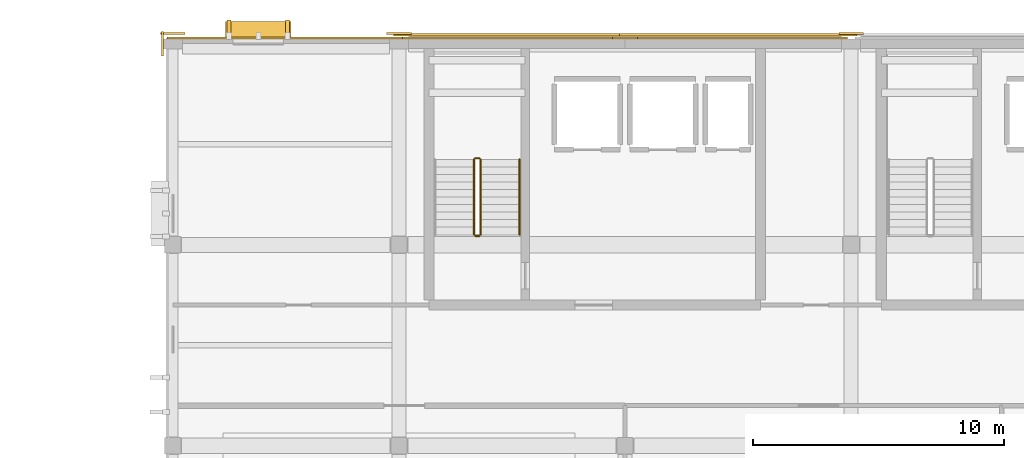
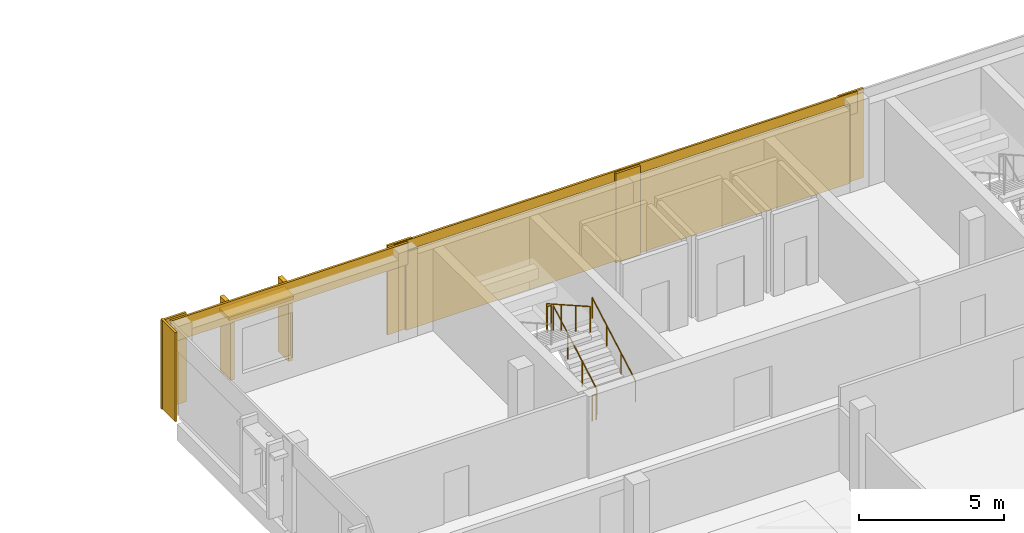
# One storey, part 20 of 23: 10 coverings, 5 railings, 3 shading devices.
"""IFC4 building model written with IfcOpenShell, lengths in metres."""

from ifc_helpers import new_model, si_unit, direction, frame, origin, origin_2d, place, context, subcontext, project, spatial, rectangle, circle, extrude, material, layer, layer_set, type_object, element, save


model = new_model("IFC4")

# Units and contexts
model_context = context("Model", 3, precision=1e-05, world=origin(), true_north=direction((0.0, 1.0)))
body_context = subcontext(model_context, "Body", "Model", "MODEL_VIEW")
ifc_project = project(units=[si_unit("LENGTHUNIT", "METRE"), si_unit("AREAUNIT", "SQUARE_METRE"), si_unit("VOLUMEUNIT", "CUBIC_METRE"), si_unit("PLANEANGLEUNIT", "RADIAN"), si_unit("MASSUNIT", "GRAM", prefix="KILO")], contexts=[model_context])

# Site, building, storey
site_placement = place(None, origin())
site = spatial("IfcSite", under=ifc_project, at=site_placement, CompositionType="ELEMENT")
building_placement = place(site_placement, origin())
building = spatial("IfcBuilding", under=site, at=building_placement, Name="Vervanel Yard Central Library", CompositionType="ELEMENT")
storey_placement = place(building_placement, frame((0.0, 0.0, 16.52001953125)))
storey = spatial("IfcBuildingStorey", under=building, at=storey_placement, Name="L04", CompositionType="ELEMENT", Elevation=16.52001953125)

# Railing
ifc_material_1 = material(Name="Brushed stainless steel AISI 316", Category="steel")
railing_type_1 = type_object("IfcRailingType", Name="Brushed Stainless Stair Handrail 900", PredefinedType="HANDRAIL", material=ifc_material_1)
railing_1_placement = place(storey_placement, frame((49.800048828125, 106.39990234375, 0.169921875)))
element("IfcRailing", 1, at=railing_1_placement, inside=storey, type_object=railing_type_1, Name="L04 ST-01 stair handrail 1", PredefinedType="HANDRAIL", context=body_context, shape_type="SweptSolid", body=[
    extrude(circle(Radius=0.02392578125, at=origin_2d()), frame((0.0, 0.0, 0.8759765625), z_axis=(0.0, 0.870028259722, 0.493001853226), x_axis=(-1.0, 0.0, 0.0)), (0.0, 0.0, 1.0), 3.4482421875),
    extrude(circle(Radius=0.02099609375, at=origin_2d()), origin(), (0.0, 0.0, 1.0), 0.851806640625),
    extrude(circle(Radius=0.02099609375, at=origin_2d()), frame((0.0, 1.0, 0.566650390625)), (0.0, 0.0, 1.0), 0.851806640625),
    extrude(circle(Radius=0.02099609375, at=origin_2d()), frame((0.0, 2.0, 1.13330078125)), (0.0, 0.0, 1.0), 0.851806640625),
    extrude(circle(Radius=0.02099609375, at=origin_2d()), frame((0.0, 3.0, 1.699951171875)), (0.0, 0.0, 1.0), 0.851806640625),
])

# Coverings
ifc_material_2 = material(Name="Precast concrete C45/55", Category="concrete")
ifc_layer = layer(ifc_material_2, 0.0849609375, Category="concrete")
ifc_layer_set = layer_set([ifc_layer], Name="Precast concrete C45/55")
covering_type = type_object("IfcCoveringType", Name="Bush-Hammered Precast Architectural Cladding Panel", PredefinedType="CLADDING", material=ifc_layer_set)
covering_1_placement = place(storey_placement, frame((40.5, 114.22998046875, 2.840087890625), z_axis=(0.0, 0.0, 1.0), x_axis=(1.0, 0.0, 0.0)))
element("IfcCovering", 2, at=covering_1_placement, inside=storey, type_object=covering_type, Name="L04 Precast Concrete Spandrel Cornice EWALL-L04-0060", PredefinedType="CLADDING", context=body_context, shape_type="SweptSolid", body=[
    extrude(rectangle(XDim=9.449951171875, YDim=0.0849609375, at=origin_2d()), origin(), (0.0, 0.0, 1.0), 0.919921875),
])
for number, where, z_axis, x_axis, name in (
    (3, (36.0, 114.41748046875, 0.0), (0.0, 0.0, 1.0), (1.0, 0.0, 0.0), "L04 Precast Concrete Pier Pilaster EWALL-L04-0060-A"),
    (4, (45.0, 114.41748046875, 0.0), (0.0, 0.0, 1.0), (1.0, 0.0, 0.0), "L04 Precast Concrete Pier Pilaster EWALL-L04-0060-B"),
):
    element("IfcCovering", number, at=place(storey_placement, frame(where, z_axis=z_axis, x_axis=x_axis)), inside=storey, type_object=covering_type, Name=name, PredefinedType="CLADDING", context=body_context, shape_type="SweptSolid", body=[
        extrude(rectangle(XDim=0.97998046875, YDim=0.0849609375, at=origin_2d()), origin(), (0.0, 0.0, 1.0), 3.760009765625),
    ])
covering_2_placement = place(storey_placement, frame((49.5, 114.364990234375, 2.840087890625), z_axis=(0.0, 0.0, 1.0), x_axis=(1.0, 0.0, 0.0)))
element("IfcCovering", 5, at=covering_2_placement, inside=storey, type_object=covering_type, Name="L04 Precast Concrete Spandrel Cornice EWALL-L04-0061", PredefinedType="CLADDING", context=body_context, shape_type="SweptSolid", body=[
    extrude(rectangle(XDim=9.449951171875, YDim=0.0849609375, at=origin_2d()), origin(), (0.0, 0.0, 1.0), 0.919921875),
])
covering_3_placement = place(storey_placement, frame((54.0, 114.232421875, 0.0), z_axis=(0.0, 0.0, 1.0), x_axis=(1.0, 0.0, 0.0)))
element("IfcCovering", 6, at=covering_3_placement, inside=storey, type_object=covering_type, Name="L04 Precast Concrete Pier Pilaster EWALL-L04-0061-B", PredefinedType="CLADDING", context=body_context, shape_type="SweptSolid", body=[
    extrude(rectangle(XDim=0.97998046875, YDim=0.0849609375, at=origin_2d()), origin(), (0.0, 0.0, 1.0), 3.760009765625),
])
covering_4_placement = place(storey_placement, frame((49.5, 114.232421875, 0.080078125), z_axis=(0.0, 0.0, 1.0), x_axis=(1.0, 0.0, 0.0)))
element("IfcCovering", 7, at=covering_4_placement, inside=storey, type_object=covering_type, Name="L04 Bush-Hammered Precast Cladding EWALL-L04-0061", PredefinedType="CLADDING", context=body_context, shape_type="SweptSolid", body=[
    extrude(rectangle(XDim=8.699951171875, YDim=0.0849609375, at=origin_2d()), origin(), (0.0, 0.0, 1.0), 3.300048828125),
])
covering_5_placement = place(storey_placement, frame((58.5, 114.364990234375, 2.840087890625), z_axis=(0.0, 0.0, 1.0), x_axis=(1.0, 0.0, 0.0)))
element("IfcCovering", 8, at=covering_5_placement, inside=storey, type_object=covering_type, Name="L04 Precast Concrete Spandrel Cornice EWALL-L04-0062", PredefinedType="CLADDING", context=body_context, shape_type="SweptSolid", body=[
    extrude(rectangle(XDim=9.449951171875, YDim=0.0849609375, at=origin_2d()), origin(), (0.0, 0.0, 1.0), 0.919921875),
])
covering_6_placement = place(storey_placement, frame((63.0, 114.41748046875, 0.0), z_axis=(0.0, 0.0, 1.0), x_axis=(1.0, 0.0, 0.0)))
element("IfcCovering", 9, at=covering_6_placement, inside=storey, type_object=covering_type, Name="L04 Precast Concrete Pier Pilaster EWALL-L04-0062-B", PredefinedType="CLADDING", context=body_context, shape_type="SweptSolid", body=[
    extrude(rectangle(XDim=0.97998046875, YDim=0.0849609375, at=origin_2d()), origin(), (0.0, 0.0, 1.0), 3.760009765625),
])
covering_7_placement = place(storey_placement, frame((58.5, 114.232421875, 0.080078125), z_axis=(0.0, 0.0, 1.0), x_axis=(1.0, 0.0, 0.0)))
element("IfcCovering", 10, at=covering_7_placement, inside=storey, type_object=covering_type, Name="L04 Bush-Hammered Precast Cladding EWALL-L04-0062", PredefinedType="CLADDING", context=body_context, shape_type="SweptSolid", body=[
    extrude(rectangle(XDim=8.699951171875, YDim=0.0849609375, at=origin_2d()), origin(), (0.0, 0.0, 1.0), 3.300048828125),
])
covering_8_placement = place(storey_placement, frame((35.58251953125, 114.0, 0.0), z_axis=(0.0, 0.0, 1.0), x_axis=(0.0, 1.0, 0.0)))
element("IfcCovering", 11, at=covering_8_placement, inside=storey, type_object=covering_type, Name="L04 Precast Concrete Pier Pilaster EWALL-L04-0070-B", PredefinedType="CLADDING", context=body_context, shape_type="SweptSolid", body=[
    extrude(rectangle(XDim=0.97998046875, YDim=0.0849609375, at=origin_2d()), origin(), (0.0, 0.0, 1.0), 3.760009765625),
])

# Shading device
shading_device_type_1 = type_object("IfcShadingDeviceType", Name="Horizontal Precast Brise-Soleil Sunhood 2600x680x140", PredefinedType="JALOUSIE", material=ifc_material_2)
shading_device_placement = place(storey_placement, frame((39.39990234375, 114.56005859375, 2.93017578125), z_axis=(0.0, 0.0, 1.0), x_axis=(1.0, 0.0, 0.0)))
element("IfcShadingDevice", 12, at=shading_device_placement, inside=storey, type_object=shading_device_type_1, Name="L04 Precast Horizontal Sunhood 25", PredefinedType="JALOUSIE", context=body_context, shape_type="SweptSolid", body=[
    extrude(rectangle(XDim=2.60009765625, YDim=0.679931640625, at=origin_2d()), origin(), (0.0, 0.0, 1.0), 0.139892578125),
])

# Railings
ifc_material_3 = material(Name="Galvanized painted steelwork ASTM A500 Grade C", Category="steel")
railing_type_2 = type_object("IfcRailingType", Name="Painted Steel Guardrail 1100", PredefinedType="GUARDRAIL", material=ifc_material_3)
railing_2_placement = place(storey_placement, frame((48.25, 106.39990234375, 0.169921875)))
element("IfcRailing", 13, at=railing_2_placement, inside=storey, type_object=railing_type_2, Name="L04 ST-01 stair guard 1", PredefinedType="GUARDRAIL", context=body_context, shape_type="SweptSolid", body=[
    extrude(circle(Radius=0.02392578125, at=origin_2d()), frame((0.0, 0.0, 1.076171875), z_axis=(0.0, 0.870028259722, 0.493001853226), x_axis=(-1.0, 0.0, 0.0)), (0.0, 0.0, 1.0), 3.4482421875),
    extrude(circle(Radius=0.02099609375, at=origin_2d()), origin(), (0.0, 0.0, 1.0), 1.052001953125),
    extrude(circle(Radius=0.02099609375, at=origin_2d()), frame((0.0, 1.0, 0.566650390625)), (0.0, 0.0, 1.0), 1.052001953125),
    extrude(circle(Radius=0.02099609375, at=origin_2d()), frame((0.0, 2.0, 1.13330078125)), (0.0, 0.0, 1.0), 1.052001953125),
    extrude(circle(Radius=0.02099609375, at=origin_2d()), frame((0.0, 3.0, 1.699951171875)), (0.0, 0.0, 1.0), 1.052001953125),
])
railing_3_placement = place(storey_placement, frame((48.199951171875, 109.449951171875, 1.869873046875)))
element("IfcRailing", 14, at=railing_3_placement, inside=storey, type_object=railing_type_2, Name="L04 ST-01 stair guard 2", PredefinedType="GUARDRAIL", context=body_context, shape_type="SweptSolid", body=[
    extrude(circle(Radius=0.02392578125, at=origin_2d()), frame((0.0, 0.0, 1.076171875), z_axis=(-1.0, 0.0, 0.0), x_axis=(0.0, -1.0, 0.0)), (0.0, 0.0, 1.0), 0.159912109375),
    extrude(circle(Radius=0.02099609375, at=origin_2d()), origin(), (0.0, 0.0, 1.0), 1.052001953125),
    extrude(circle(Radius=0.02099609375, at=origin_2d()), frame((-0.159912109375, 0.0, 0.0)), (0.0, 0.0, 1.0), 1.052001953125),
])
railing_4_placement = place(storey_placement, frame((47.989990234375, 109.39990234375, 2.0400390625)))
element("IfcRailing", 15, at=railing_4_placement, inside=storey, type_object=railing_type_2, Name="L04 ST-01 stair guard 3", PredefinedType="GUARDRAIL", context=body_context, shape_type="SweptSolid", body=[
    extrude(circle(Radius=0.02392578125, at=origin_2d()), frame((0.0, 0.0, 1.076171875), z_axis=(0.0, -0.870028259722, 0.493001853226), x_axis=(1.0, 0.0, 0.0)), (0.0, 0.0, 1.0), 3.4482421875),
    extrude(circle(Radius=0.02099609375, at=origin_2d()), origin(), (0.0, 0.0, 1.0), 1.052001953125),
    extrude(circle(Radius=0.02099609375, at=origin_2d()), frame((0.0, -1.0, 0.566650390625)), (0.0, 0.0, 1.0), 1.052001953125),
    extrude(circle(Radius=0.02099609375, at=origin_2d()), frame((0.0, -2.0, 1.13330078125)), (0.0, 0.0, 1.0), 1.052001953125),
    extrude(circle(Radius=0.02099609375, at=origin_2d()), frame((0.0, -3.0, 1.699951171875)), (0.0, 0.0, 1.0), 1.052001953125),
])
railing_5_placement = place(storey_placement, frame((48.199951171875, 106.35009765625, 0.0)))
element("IfcRailing", 16, at=railing_5_placement, inside=storey, type_object=railing_type_2, Name="L04 ST-01 stair guard 4", PredefinedType="GUARDRAIL", context=body_context, shape_type="SweptSolid", body=[
    extrude(circle(Radius=0.02392578125, at=origin_2d()), frame((0.0, 0.0, 1.076171875), z_axis=(-1.0, 0.0, 0.0), x_axis=(0.0, -1.0, 0.0)), (0.0, 0.0, 1.0), 0.159912109375),
    extrude(circle(Radius=0.02099609375, at=origin_2d()), origin(), (0.0, 0.0, 1.0), 1.052001953125),
    extrude(circle(Radius=0.02099609375, at=origin_2d()), frame((-0.159912109375, 0.0, 0.0)), (0.0, 0.0, 1.0), 1.052001953125),
])

# Shading devices
shading_device_type_2 = type_object("IfcShadingDeviceType", Name="Vertical Precast Solar Fin 160x720x3200", PredefinedType="JALOUSIE", material=ifc_material_2)
for number, where, z_axis, x_axis, name in (
    (17, (38.239990234375, 114.590087890625, 0.3798828125), (0.0, 0.0, 1.0), (1.0, 0.0, 0.0), "L04 Precast Solar Fin 177"),
    (18, (40.56005859375, 114.590087890625, 0.3798828125), (0.0, 0.0, 1.0), (1.0, 0.0, 0.0), "L04 Precast Solar Fin 178"),
):
    element("IfcShadingDevice", number, at=place(storey_placement, frame(where, z_axis=z_axis, x_axis=x_axis)), inside=storey, type_object=shading_device_type_2, Name=name, PredefinedType="JALOUSIE", context=body_context, shape_type="SweptSolid", body=[
        extrude(rectangle(XDim=0.159912109375, YDim=0.719970703125, at=origin_2d()), origin(), (0.0, 0.0, 1.0), 3.139892578125),
    ])

save(model, "model.ifc")
